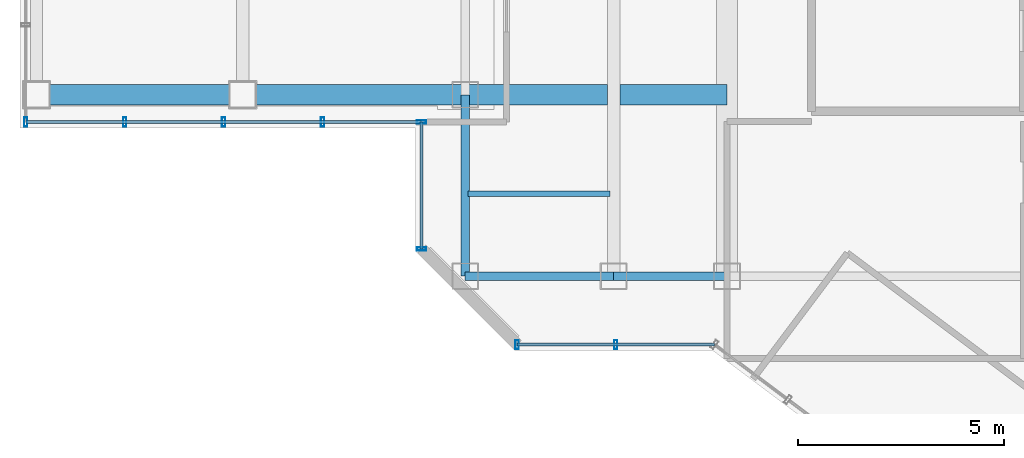
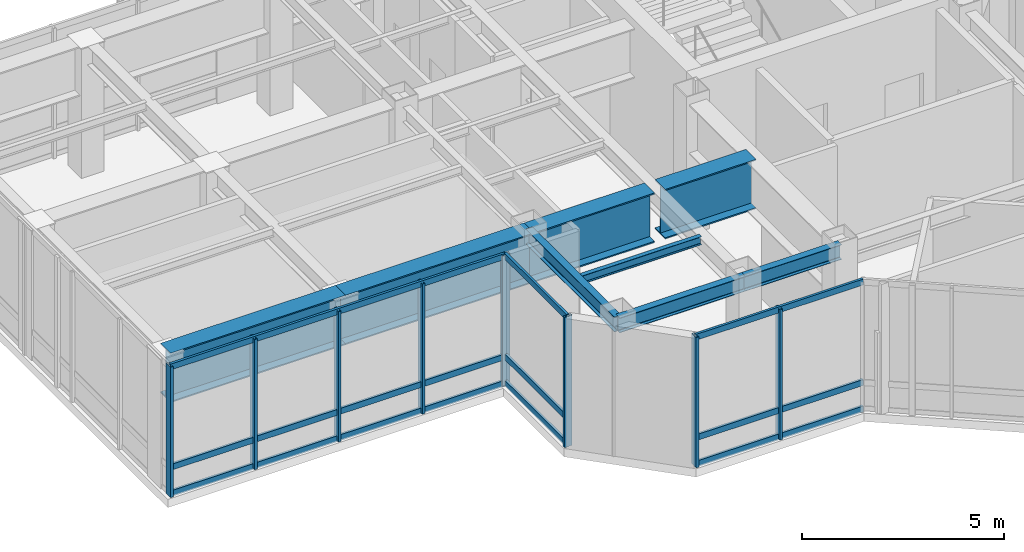
# One storey, part 2 of 22: 17 members, 8 beams, 3 elements without a shape of their own.
"""IFC4 building model written with IfcOpenShell, lengths in metres."""

from ifc_helpers import new_model, si_unit, direction, frame, origin, origin_2d, place, context, subcontext, project, spatial, hollow_rectangle, i_section, extrude, material, layer, layer_set, material_profile, profile_set, type_object, element, aggregate, save


model = new_model("IFC4")

# Units and contexts
model_context = context("Model", 3, precision=1e-05, world=origin(), true_north=direction((0.0, 1.0)))
body_context = subcontext(model_context, "Body", "Model", "MODEL_VIEW")
ifc_project = project(units=[si_unit("LENGTHUNIT", "METRE"), si_unit("AREAUNIT", "SQUARE_METRE"), si_unit("VOLUMEUNIT", "CUBIC_METRE"), si_unit("PLANEANGLEUNIT", "RADIAN"), si_unit("MASSUNIT", "GRAM", prefix="KILO")], contexts=[model_context])

# Site, building, storey
site_placement = place(None, origin())
site = spatial("IfcSite", under=ifc_project, at=site_placement, CompositionType="ELEMENT")
building_placement = place(site_placement, origin())
building = spatial("IfcBuilding", under=site, at=building_placement, Name="Hatsunagi Terrace Concourse", CompositionType="ELEMENT")
storey_placement = place(building_placement, frame((0.0, 0.0, 261.75)))
storey = spatial("IfcBuildingStorey", under=building, at=storey_placement, Name="L69", CompositionType="ELEMENT", Elevation=261.75)

# Beam
ifc_material_1 = material(Name="Steel SN490B", Category="steel")
ifc_material_profile_1 = material_profile(ifc_material_1, i_section(OverallWidth=0.125, OverallDepth=0.25, WebThickness=0.006103515625, FlangeThickness=0.009033203125, FilletRadius=0.008056640625, at=origin_2d()), Name="H-250x125x6x9")
ifc_profile_set_1 = profile_set([ifc_material_profile_1], Name="Steel SN490B")
beam_type_1 = type_object("IfcBeamType", Name="CrownJoist_H_250x125", PredefinedType="JOIST", material=ifc_profile_set_1)
beam_1_placement = place(storey_placement, frame((19.264892578125, 27.199951171875, 3.824951171875), z_axis=(1.0, 0.0, 0.0), x_axis=(0.0, 1.0, 0.0)))
element("IfcBeam", 1, at=beam_1_placement, inside=storey, type_object=beam_type_1, Name="Beam J-04 J-L69-W-19-272", PredefinedType="JOIST", context=body_context, shape_type="SweptSolid", body=[
    extrude(i_section(OverallWidth=0.125, OverallDepth=0.25, WebThickness=0.006103515625, FlangeThickness=0.009033203125, FilletRadius=0.008056640625, at=origin_2d()), origin(), (0.0, 0.0, 1.0), 3.4501953125),
])

# Curtain wall, members
ifc_material_2 = material(Name="Anodised Aluminium Alloy 6063-T5", Category="aluminium")
ifc_layer = layer(ifc_material_2, 0.199951171875)
ifc_layer_set = layer_set([ifc_layer], Name="SkyLobbyAtrium_CW05")
curtain_wall_type = type_object("IfcCurtainWallType", Name="SkyLobbyAtrium_CW05", PredefinedType="NOTDEFINED", material=ifc_layer_set)
curtain_wall_1_placement = place(storey_placement, origin())
curtain_wall_1 = element("IfcCurtainWall", 2, at=curtain_wall_1_placement, inside=storey, type_object=curtain_wall_type, Name="Unitised Curtain Wall CW-05 CW-L69-11", PredefinedType="NOTDEFINED")
ifc_material_3 = material(Name="Anodised Aluminium Alloy 6063-T5", Category="aluminium")
ifc_material_profile_2 = material_profile(ifc_material_3, hollow_rectangle(XDim=0.080078125, YDim=0.219970703125, WallThickness=0.0048828125, at=origin_2d()), Name="ALU-MUL-220x80x5")
ifc_profile_set_2 = profile_set([ifc_material_profile_2], Name="Anodised Aluminium Alloy 6063-T5")
member_type_1 = type_object("IfcMemberType", Name="CurtainWallMullion_Heavy_220x80", PredefinedType="MULLION", material=ifc_profile_set_2)
member_1_placement = place(storey_placement, frame((22.85205078125, 23.5400390625, 0.0), z_axis=(0.0, 0.0, 1.0), x_axis=(-1.0, 0.0, 0.0)))
member_1 = element("IfcMember", 3, at=member_1_placement, type_object=member_type_1, Name="Curtain Wall Mullion MUL-01", PredefinedType="MULLION", context=body_context, shape_type="SweptSolid", body=[
    extrude(hollow_rectangle(XDim=0.080078125, YDim=0.219970703125, WallThickness=0.0048828125, at=origin_2d()), origin(), (0.0, 0.0, 1.0), 3.93994140625),
])
member_2_placement = place(storey_placement, frame((20.4580078125, 23.5400390625, 0.0), z_axis=(0.0, 0.0, 1.0), x_axis=(-1.0, 0.0, 0.0)))
member_2 = element("IfcMember", 4, at=member_2_placement, type_object=member_type_1, Name="Curtain Wall Mullion MUL-01", PredefinedType="MULLION", context=body_context, shape_type="SweptSolid", body=[
    extrude(hollow_rectangle(XDim=0.080078125, YDim=0.219970703125, WallThickness=0.0048828125, at=origin_2d()), origin(), (0.0, 0.0, 1.0), 3.93994140625),
])

curtain_wall_2_placement = place(storey_placement, origin())
curtain_wall_2 = element("IfcCurtainWall", 5, at=curtain_wall_2_placement, inside=storey, type_object=curtain_wall_type, Name="Unitised Curtain Wall CW-05 CW-L69-13", PredefinedType="NOTDEFINED")
member_3_placement = place(storey_placement, frame((18.139892578125, 25.85791015625, 0.0), z_axis=(0.0, 0.0, 1.0), x_axis=(0.0, 1.0, 0.0)))
member_3 = element("IfcMember", 6, at=member_3_placement, type_object=member_type_1, Name="Curtain Wall Mullion MUL-01", PredefinedType="MULLION", context=body_context, shape_type="SweptSolid", body=[
    extrude(hollow_rectangle(XDim=0.080078125, YDim=0.219970703125, WallThickness=0.0048828125, at=origin_2d()), origin(), (0.0, 0.0, 1.0), 3.93994140625),
])
member_4_placement = place(storey_placement, frame((18.139892578125, 28.93994140625, 0.0), z_axis=(0.0, 0.0, 1.0), x_axis=(0.0, 1.0, 0.0)))
member_4 = element("IfcMember", 7, at=member_4_placement, type_object=member_type_1, Name="Curtain Wall Mullion MUL-01", PredefinedType="MULLION", context=body_context, shape_type="SweptSolid", body=[
    extrude(hollow_rectangle(XDim=0.080078125, YDim=0.219970703125, WallThickness=0.0048828125, at=origin_2d()), origin(), (0.0, 0.0, 1.0), 3.93994140625),
])

curtain_wall_3_placement = place(storey_placement, origin())
curtain_wall_3 = element("IfcCurtainWall", 8, at=curtain_wall_3_placement, inside=storey, type_object=curtain_wall_type, Name="Unitised Curtain Wall CW-05 CW-L69-14", PredefinedType="NOTDEFINED")
member_5_placement = place(storey_placement, frame((15.739990234375, 28.93994140625, 0.0), z_axis=(0.0, 0.0, 1.0), x_axis=(-1.0, 0.0, 0.0)))
member_5 = element("IfcMember", 9, at=member_5_placement, type_object=member_type_1, Name="Curtain Wall Mullion MUL-01", PredefinedType="MULLION", context=body_context, shape_type="SweptSolid", body=[
    extrude(hollow_rectangle(XDim=0.080078125, YDim=0.219970703125, WallThickness=0.0048828125, at=origin_2d()), origin(), (0.0, 0.0, 1.0), 3.93994140625),
])
member_6_placement = place(storey_placement, frame((13.340087890625, 28.93994140625, 0.0), z_axis=(0.0, 0.0, 1.0), x_axis=(-1.0, 0.0, 0.0)))
member_6 = element("IfcMember", 10, at=member_6_placement, type_object=member_type_1, Name="Curtain Wall Mullion MUL-01", PredefinedType="MULLION", context=body_context, shape_type="SweptSolid", body=[
    extrude(hollow_rectangle(XDim=0.080078125, YDim=0.219970703125, WallThickness=0.0048828125, at=origin_2d()), origin(), (0.0, 0.0, 1.0), 3.93994140625),
])
member_7_placement = place(storey_placement, frame((10.93994140625, 28.93994140625, 0.0), z_axis=(0.0, 0.0, 1.0), x_axis=(-1.0, 0.0, 0.0)))
member_7 = element("IfcMember", 11, at=member_7_placement, type_object=member_type_1, Name="Curtain Wall Mullion MUL-01", PredefinedType="MULLION", context=body_context, shape_type="SweptSolid", body=[
    extrude(hollow_rectangle(XDim=0.080078125, YDim=0.219970703125, WallThickness=0.0048828125, at=origin_2d()), origin(), (0.0, 0.0, 1.0), 3.93994140625),
])
member_8_placement = place(storey_placement, frame((8.5400390625, 28.93994140625, 0.0), z_axis=(0.0, 0.0, 1.0), x_axis=(-1.0, 0.0, 0.0)))
member_8 = element("IfcMember", 12, at=member_8_placement, type_object=member_type_1, Name="Curtain Wall Mullion MUL-01", PredefinedType="MULLION", context=body_context, shape_type="SweptSolid", body=[
    extrude(hollow_rectangle(XDim=0.080078125, YDim=0.219970703125, WallThickness=0.0048828125, at=origin_2d()), origin(), (0.0, 0.0, 1.0), 3.93994140625),
])

# Member
ifc_material_4 = material(Name="Anodised Aluminium Alloy 6063-T5", Category="aluminium")
ifc_material_profile_3 = material_profile(ifc_material_4, hollow_rectangle(XDim=0.070068359375, YDim=0.179931640625, WallThickness=0.00390625, at=origin_2d()), Name="ALU-TRN-180x70x4")
ifc_profile_set_3 = profile_set([ifc_material_profile_3], Name="Anodised Aluminium Alloy 6063-T5")
member_type_2 = type_object("IfcMemberType", Name="CurtainWallTransom_Heavy_180x70", PredefinedType="USERDEFINED", material=ifc_profile_set_3)
member_9_placement = place(storey_placement, frame((25.2470703125, 23.5400390625, 0.050048828125), z_axis=(-1.0, 0.0, 0.0), x_axis=(0.0, -1.0, 0.0)))
member_9 = element("IfcMember", 13, at=member_9_placement, type_object=member_type_2, Name="Curtain Wall Transom TRN-01", ObjectType="TRANSOM", PredefinedType="USERDEFINED", context=body_context, shape_type="SweptSolid", body=[
    extrude(hollow_rectangle(XDim=0.070068359375, YDim=0.179931640625, WallThickness=0.00390625, at=origin_2d()), origin(), (0.0, 0.0, 1.0), 4.7890625),
])

member_10_placement = place(storey_placement, frame((25.2470703125, 23.5400390625, 0.85009765625), z_axis=(-1.0, 0.0, 0.0), x_axis=(0.0, -1.0, 0.0)))
member_10 = element("IfcMember", 14, at=member_10_placement, type_object=member_type_2, Name="Curtain Wall Transom TRN-01", ObjectType="TRANSOM", PredefinedType="USERDEFINED", context=body_context, shape_type="SweptSolid", body=[
    extrude(hollow_rectangle(XDim=0.070068359375, YDim=0.179931640625, WallThickness=0.00390625, at=origin_2d()), origin(), (0.0, 0.0, 1.0), 4.7890625),
])

member_11_placement = place(storey_placement, frame((25.2470703125, 23.5400390625, 3.889892578125), z_axis=(-1.0, 0.0, 0.0), x_axis=(0.0, -1.0, 0.0)))
member_11 = element("IfcMember", 15, at=member_11_placement, type_object=member_type_2, Name="Curtain Wall Transom TRN-01", ObjectType="TRANSOM", PredefinedType="USERDEFINED", context=body_context, shape_type="SweptSolid", body=[
    extrude(hollow_rectangle(XDim=0.070068359375, YDim=0.179931640625, WallThickness=0.00390625, at=origin_2d()), origin(), (0.0, 0.0, 1.0), 4.7890625),
])

aggregate(curtain_wall_1, [member_1, member_2, member_9, member_10, member_11])

member_12_placement = place(storey_placement, frame((18.139892578125, 25.85791015625, 0.050048828125), z_axis=(0.0, 1.0, 0.0), x_axis=(-1.0, 0.0, 0.0)))
member_12 = element("IfcMember", 16, at=member_12_placement, type_object=member_type_2, Name="Curtain Wall Transom TRN-01", ObjectType="TRANSOM", PredefinedType="USERDEFINED", context=body_context, shape_type="SweptSolid", body=[
    extrude(hollow_rectangle(XDim=0.070068359375, YDim=0.179931640625, WallThickness=0.00390625, at=origin_2d()), origin(), (0.0, 0.0, 1.0), 3.08203125),
])

member_13_placement = place(storey_placement, frame((18.139892578125, 25.85791015625, 0.85009765625), z_axis=(0.0, 1.0, 0.0), x_axis=(-1.0, 0.0, 0.0)))
member_13 = element("IfcMember", 17, at=member_13_placement, type_object=member_type_2, Name="Curtain Wall Transom TRN-01", ObjectType="TRANSOM", PredefinedType="USERDEFINED", context=body_context, shape_type="SweptSolid", body=[
    extrude(hollow_rectangle(XDim=0.070068359375, YDim=0.179931640625, WallThickness=0.00390625, at=origin_2d()), origin(), (0.0, 0.0, 1.0), 3.08203125),
])

member_14_placement = place(storey_placement, frame((18.139892578125, 25.85791015625, 3.889892578125), z_axis=(0.0, 1.0, 0.0), x_axis=(-1.0, 0.0, 0.0)))
member_14 = element("IfcMember", 18, at=member_14_placement, type_object=member_type_2, Name="Curtain Wall Transom TRN-01", ObjectType="TRANSOM", PredefinedType="USERDEFINED", context=body_context, shape_type="SweptSolid", body=[
    extrude(hollow_rectangle(XDim=0.070068359375, YDim=0.179931640625, WallThickness=0.00390625, at=origin_2d()), origin(), (0.0, 0.0, 1.0), 3.08203125),
])

aggregate(curtain_wall_2, [member_3, member_4, member_12, member_13, member_14])

member_15_placement = place(storey_placement, frame((18.139892578125, 28.93994140625, 0.050048828125), z_axis=(-1.0, 0.0, 0.0), x_axis=(0.0, -1.0, 0.0)))
member_15 = element("IfcMember", 19, at=member_15_placement, type_object=member_type_2, Name="Curtain Wall Transom TRN-01", ObjectType="TRANSOM", PredefinedType="USERDEFINED", context=body_context, shape_type="SweptSolid", body=[
    extrude(hollow_rectangle(XDim=0.070068359375, YDim=0.179931640625, WallThickness=0.00390625, at=origin_2d()), origin(), (0.0, 0.0, 1.0), 9.599853515625),
])

member_16_placement = place(storey_placement, frame((18.139892578125, 28.93994140625, 0.85009765625), z_axis=(-1.0, 0.0, 0.0), x_axis=(0.0, -1.0, 0.0)))
member_16 = element("IfcMember", 20, at=member_16_placement, type_object=member_type_2, Name="Curtain Wall Transom TRN-01", ObjectType="TRANSOM", PredefinedType="USERDEFINED", context=body_context, shape_type="SweptSolid", body=[
    extrude(hollow_rectangle(XDim=0.070068359375, YDim=0.179931640625, WallThickness=0.00390625, at=origin_2d()), origin(), (0.0, 0.0, 1.0), 9.599853515625),
])

member_17_placement = place(storey_placement, frame((18.139892578125, 28.93994140625, 3.889892578125), z_axis=(-1.0, 0.0, 0.0), x_axis=(0.0, -1.0, 0.0)))
member_17 = element("IfcMember", 21, at=member_17_placement, type_object=member_type_2, Name="Curtain Wall Transom TRN-01", ObjectType="TRANSOM", PredefinedType="USERDEFINED", context=body_context, shape_type="SweptSolid", body=[
    extrude(hollow_rectangle(XDim=0.070068359375, YDim=0.179931640625, WallThickness=0.00390625, at=origin_2d()), origin(), (0.0, 0.0, 1.0), 9.599853515625),
])

aggregate(curtain_wall_3, [member_5, member_6, member_7, member_8, member_15, member_16, member_17])

# Beams
ifc_material_5 = material(Name="Steel SN490B", Category="steel")
ifc_material_profile_4 = material_profile(ifc_material_5, i_section(OverallWidth=0.199951171875, OverallDepth=0.449951171875, WebThickness=0.009033203125, FlangeThickness=0.013916015625, FilletRadius=0.01611328125, at=origin_2d()), Name="H-450x200x9x14")
ifc_profile_set_4 = profile_set([ifc_material_profile_4], Name="Steel SN490B")
beam_type_2 = type_object("IfcBeamType", Name="PerimeterSpandrel_H_450x200", PredefinedType="SPANDREL", material=ifc_profile_set_4)
beam_2_placement = place(storey_placement, frame((19.199951171875, 25.199951171875, 3.72509765625), z_axis=(1.0, 0.0, 0.0), x_axis=(0.0, 1.0, 0.0)))
element("IfcBeam", 22, at=beam_2_placement, inside=storey, type_object=beam_type_2, Name="Beam SP-02 BM-L69-WS-19", PredefinedType="SPANDREL", context=body_context, shape_type="SweptSolid", body=[
    extrude(i_section(OverallWidth=0.199951171875, OverallDepth=0.449951171875, WebThickness=0.009033203125, FlangeThickness=0.013916015625, FilletRadius=0.01611328125, at=origin_2d()), origin(), (0.0, 0.0, 1.0), 3.60009765625),
])
beam_3_placement = place(storey_placement, frame((22.800048828125, 25.199951171875, 3.72509765625), z_axis=(1.0, 0.0, 0.0), x_axis=(0.0, 1.0, 0.0)))
element("IfcBeam", 23, at=beam_3_placement, inside=storey, type_object=beam_type_2, Name="Beam SP-02 BM-L69-WS-22", PredefinedType="SPANDREL", context=body_context, shape_type="SweptSolid", body=[
    extrude(i_section(OverallWidth=0.199951171875, OverallDepth=0.449951171875, WebThickness=0.009033203125, FlangeThickness=0.013916015625, FilletRadius=0.01611328125, at=origin_2d()), origin(), (0.0, 0.0, 1.0), 2.75),
])
beam_4_placement = place(storey_placement, frame((19.199951171875, 25.199951171875, 3.72509765625), z_axis=(0.0, 1.0, 0.0), x_axis=(-1.0, 0.0, 0.0)))
element("IfcBeam", 24, at=beam_4_placement, inside=storey, type_object=beam_type_2, Name="Beam SP-02 BM-L69-NS-19-25", PredefinedType="SPANDREL", context=body_context, shape_type="SweptSolid", body=[
    extrude(i_section(OverallWidth=0.199951171875, OverallDepth=0.449951171875, WebThickness=0.009033203125, FlangeThickness=0.013916015625, FilletRadius=0.01611328125, at=origin_2d()), origin(), (0.0, 0.0, 1.0), 4.400146484375),
])
ifc_material_6 = material(Name="Steel SN490C", Category="steel")
ifc_material_profile_5 = material_profile(ifc_material_6, i_section(OverallWidth=0.5, OverallDepth=1.5, WebThickness=0.028076171875, FlangeThickness=0.0380859375, at=origin_2d()), Name="BH-1500x500x28x38")
ifc_profile_set_5 = profile_set([ifc_material_profile_5], Name="Steel SN490C")
beam_type_3 = type_object("IfcBeamType", Name="SkyLoungeTrussGirder_BH_1500x500x28x38", PredefinedType="USERDEFINED", material=ifc_profile_set_5)
beam_5_placement = place(storey_placement, frame((25.550048828125, 29.60009765625, 3.199951171875), z_axis=(-1.0, 0.0, 0.0), x_axis=(0.0, -1.0, 0.0)))
element("IfcBeam", 25, at=beam_5_placement, inside=storey, type_object=beam_type_3, Name="Transfer girder SLT-01 SLT-L69-BS-1", ObjectType="TRANSFER_GIRDER", PredefinedType="USERDEFINED", context=body_context, shape_type="SweptSolid", body=[
    extrude(i_section(OverallWidth=0.5, OverallDepth=1.5, WebThickness=0.028076171875, FlangeThickness=0.0380859375, at=origin_2d()), origin(), (0.0, 0.0, 1.0), 2.60009765625),
])
beam_6_placement = place(storey_placement, frame((22.64990234375, 29.60009765625, 3.199951171875), z_axis=(-1.0, 0.0, 0.0), x_axis=(0.0, -1.0, 0.0)))
element("IfcBeam", 26, at=beam_6_placement, inside=storey, type_object=beam_type_3, Name="Transfer girder SLT-01 SLT-L69-BSW-1", ObjectType="TRANSFER_GIRDER", PredefinedType="USERDEFINED", context=body_context, shape_type="SweptSolid", body=[
    extrude(i_section(OverallWidth=0.5, OverallDepth=1.5, WebThickness=0.028076171875, FlangeThickness=0.0380859375, at=origin_2d()), origin(), (0.0, 0.0, 1.0), 3.449951171875),
])
beam_7_placement = place(storey_placement, frame((19.199951171875, 29.60009765625, 3.199951171875), z_axis=(-1.0, 0.0, 0.0), x_axis=(0.0, -1.0, 0.0)))
element("IfcBeam", 27, at=beam_7_placement, inside=storey, type_object=beam_type_3, Name="Transfer girder SLT-01 SLT-L69-C1-1", ObjectType="TRANSFER_GIRDER", PredefinedType="USERDEFINED", context=body_context, shape_type="SweptSolid", body=[
    extrude(i_section(OverallWidth=0.5, OverallDepth=1.5, WebThickness=0.028076171875, FlangeThickness=0.0380859375, at=origin_2d()), origin(), (0.0, 0.0, 1.0), 5.39990234375),
])
beam_8_placement = place(storey_placement, frame((13.800048828125, 29.60009765625, 3.199951171875), z_axis=(-1.0, 0.0, 0.0), x_axis=(0.0, -1.0, 0.0)))
element("IfcBeam", 28, at=beam_8_placement, inside=storey, type_object=beam_type_3, Name="Transfer girder SLT-01 SLT-L69-C2-1", ObjectType="TRANSFER_GIRDER", PredefinedType="USERDEFINED", context=body_context, shape_type="SweptSolid", body=[
    extrude(i_section(OverallWidth=0.5, OverallDepth=1.5, WebThickness=0.028076171875, FlangeThickness=0.0380859375, at=origin_2d()), origin(), (0.0, 0.0, 1.0), 5.0),
])

save(model, "model.ifc")
